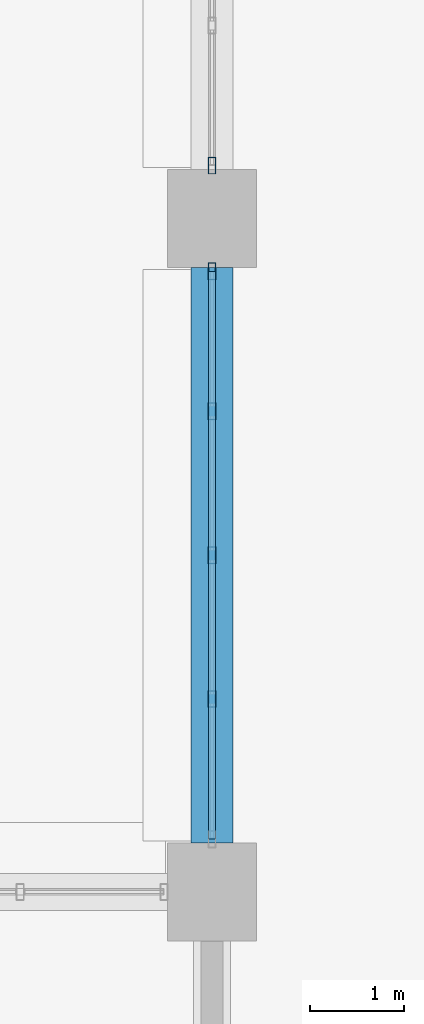
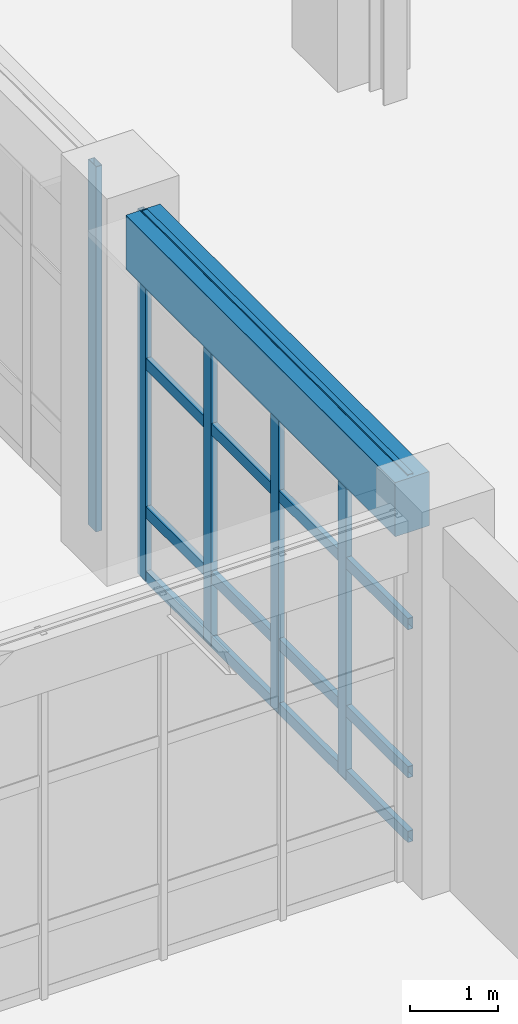
# One storey, part 39 of 160: 9 members, 1 beam, 2 elements without a shape of their own.
"""IFC4 building model written with IfcOpenShell, lengths in metres."""

from ifc_helpers import new_model, si_unit, direction, frame, origin, origin_2d, place, context, subcontext, project, spatial, rectangle, hollow_rectangle, extrude, material, material_profile, profile_set, type_object, element, aggregate, save


model = new_model("IFC4")

# Units and contexts
model_context = context("Model", 3, precision=1e-05, world=origin(), true_north=direction((0.0, 1.0)))
body_context = subcontext(model_context, "Body", "Model", "MODEL_VIEW")
ifc_project = project(units=[si_unit("LENGTHUNIT", "METRE"), si_unit("AREAUNIT", "SQUARE_METRE"), si_unit("VOLUMEUNIT", "CUBIC_METRE"), si_unit("PLANEANGLEUNIT", "RADIAN"), si_unit("MASSUNIT", "GRAM", prefix="KILO")], contexts=[model_context])

# Site, building, storey
site_placement = place(None, origin())
site = spatial("IfcSite", under=ifc_project, at=site_placement, CompositionType="ELEMENT")
building_placement = place(site_placement, origin())
building = spatial("IfcBuilding", under=site, at=building_placement, Name="Thalmaran Polytechnic", CompositionType="ELEMENT")
storey_placement = place(building_placement, origin())
storey = spatial("IfcBuildingStorey", under=building, at=storey_placement, Name="L00", CompositionType="ELEMENT", Elevation=0.0)

# Beam
ifc_material_1 = material(Name="Concrete C40/50", Category="concrete")
ifc_material_profile_1 = material_profile(ifc_material_1, rectangle(XDim=0.449951171875, YDim=0.7548828125, at=origin_2d()), Name="RC 450x755")
ifc_profile_set_1 = profile_set([ifc_material_profile_1], Name="Concrete C40/50")
beam_type = type_object("IfcBeamType", Name="BM-SP02", PredefinedType="SPANDREL", material=ifc_profile_set_1)
beam_placement = place(storey_placement, frame((108.0, 36.52490234375, 4.71240234375), z_axis=(0.0, 1.0, 0.0), x_axis=(-1.0, 0.0, 0.0)))
element("IfcBeam", 1, at=beam_placement, inside=storey, type_object=beam_type, Name="Grid Beam SP02 L00 Y(15,5)", PredefinedType="SPANDREL", context=body_context, shape_type="SweptSolid", body=[
    extrude(rectangle(XDim=0.449951171875, YDim=0.7548828125, at=origin_2d()), origin(), (0.0, 0.0, 1.0), 6.150146484375),
])

# Curtain wall, members
ifc_material_2 = material(Name="Aluminium 6063-T6", Category="aluminium")
curtain_wall_type = type_object("IfcCurtainWallType", Name="CW-UC01", PredefinedType="USERDEFINED", material=ifc_material_2)
curtain_wall_1_placement = place(storey_placement, origin())
curtain_wall_1 = element("IfcCurtainWall", 2, at=curtain_wall_1_placement, inside=storey, type_object=curtain_wall_type, Name="Curtain Wall CW-L00-061", ObjectType="UNITISED CURTAIN WALL", PredefinedType="USERDEFINED")
ifc_material_profile_2 = material_profile(ifc_material_2, hollow_rectangle(XDim=0.080078125, YDim=0.179931640625, WallThickness=0.0048828125, at=origin_2d()), Name="RHS 180x80x5.0")
ifc_profile_set_2 = profile_set([ifc_material_profile_2], Name="Aluminium 6063-T6")
member_type_1 = type_object("IfcMemberType", Name="CW-MUL1", PredefinedType="MULLION", material=ifc_profile_set_2)
member_1_placement = place(storey_placement, frame((108.0, 38.0625, 0.0), z_axis=(0.0, 0.0, 1.0), x_axis=(1.0, 0.0, 0.0)))
member_1 = element("IfcMember", 3, at=member_1_placement, type_object=member_type_1, Name="CW-L00-061 Mullion 2", PredefinedType="MULLION", context=body_context, shape_type="SweptSolid", body=[
    extrude(hollow_rectangle(XDim=0.080078125, YDim=0.179931640625, WallThickness=0.0048828125, at=origin_2d()), origin(), (0.0, 0.0, 1.0), 5.090087890625),
])
member_2_placement = place(storey_placement, frame((108.0, 39.60009765625, 0.0), z_axis=(0.0, 0.0, 1.0), x_axis=(1.0, 0.0, 0.0)))
member_2 = element("IfcMember", 4, at=member_2_placement, type_object=member_type_1, Name="CW-L00-061 Mullion 3", PredefinedType="MULLION", context=body_context, shape_type="SweptSolid", body=[
    extrude(hollow_rectangle(XDim=0.080078125, YDim=0.179931640625, WallThickness=0.0048828125, at=origin_2d()), origin(), (0.0, 0.0, 1.0), 5.090087890625),
])
member_3_placement = place(storey_placement, frame((108.0, 41.137451171875, 0.0), z_axis=(0.0, 0.0, 1.0), x_axis=(1.0, 0.0, 0.0)))
member_3 = element("IfcMember", 5, at=member_3_placement, type_object=member_type_1, Name="CW-L00-061 Mullion 4", PredefinedType="MULLION", context=body_context, shape_type="SweptSolid", body=[
    extrude(hollow_rectangle(XDim=0.080078125, YDim=0.179931640625, WallThickness=0.0048828125, at=origin_2d()), origin(), (0.0, 0.0, 1.0), 5.090087890625),
])
member_4_placement = place(storey_placement, frame((108.0, 42.635009765625, 0.0), z_axis=(0.0, 0.0, 1.0), x_axis=(1.0, 0.0, 0.0)))
member_4 = element("IfcMember", 6, at=member_4_placement, type_object=member_type_1, Name="CW-L00-061 Mullion 5", PredefinedType="MULLION", context=body_context, shape_type="SweptSolid", body=[
    extrude(hollow_rectangle(XDim=0.080078125, YDim=0.179931640625, WallThickness=0.0048828125, at=origin_2d()), origin(), (0.0, 0.0, 1.0), 5.090087890625),
])

# Curtain wall, member
curtain_wall_2_placement = place(storey_placement, origin())
curtain_wall_2 = element("IfcCurtainWall", 7, at=curtain_wall_2_placement, inside=storey, type_object=curtain_wall_type, Name="Curtain Wall CW-L00-062", ObjectType="UNITISED CURTAIN WALL", PredefinedType="USERDEFINED")
member_5_placement = place(storey_placement, frame((108.0, 43.764892578125, 0.0), z_axis=(0.0, 0.0, 1.0), x_axis=(1.0, 0.0, 0.0)))
member_5 = element("IfcMember", 8, at=member_5_placement, type_object=member_type_1, Name="CW-L00-062 Mullion 1", PredefinedType="MULLION", context=body_context, shape_type="SweptSolid", body=[
    extrude(hollow_rectangle(XDim=0.080078125, YDim=0.179931640625, WallThickness=0.0048828125, at=origin_2d()), origin(), (0.0, 0.0, 1.0), 5.090087890625),
])
aggregate(curtain_wall_2, [member_5])

# Member
ifc_material_profile_3 = material_profile(ifc_material_2, hollow_rectangle(XDim=0.070068359375, YDim=0.159912109375, WallThickness=0.00390625, at=origin_2d()), Name="AL 160x70x4.0")
ifc_profile_set_3 = profile_set([ifc_material_profile_3], Name="Aluminium 6063-T6")
member_type_2 = type_object("IfcMemberType", Name="CW-TRN1", PredefinedType="USERDEFINED", material=ifc_profile_set_3)
member_6_placement = place(storey_placement, frame((108.0, 36.56494140625, 0.06005859375), z_axis=(0.0, 1.0, 0.0), x_axis=(-1.0, 0.0, 0.0)))
member_6 = element("IfcMember", 9, at=member_6_placement, type_object=member_type_2, Name="CW-L00-061 Transom 1", ObjectType="TRANSOM", PredefinedType="USERDEFINED", context=body_context, shape_type="SweptSolid", body=[
    extrude(hollow_rectangle(XDim=0.070068359375, YDim=0.159912109375, WallThickness=0.00390625, at=origin_2d()), origin(), (0.0, 0.0, 1.0), 6.070068359375),
])

member_7_placement = place(storey_placement, frame((108.0, 36.56494140625, 0.9599609375), z_axis=(0.0, 1.0, 0.0), x_axis=(-1.0, 0.0, 0.0)))
member_7 = element("IfcMember", 10, at=member_7_placement, type_object=member_type_2, Name="CW-L00-061 Transom 2", ObjectType="TRANSOM", PredefinedType="USERDEFINED", context=body_context, shape_type="SweptSolid", body=[
    extrude(hollow_rectangle(XDim=0.070068359375, YDim=0.159912109375, WallThickness=0.00390625, at=origin_2d()), origin(), (0.0, 0.0, 1.0), 6.070068359375),
])

member_8_placement = place(storey_placement, frame((108.0, 36.56494140625, 3.02490234375), z_axis=(0.0, 1.0, 0.0), x_axis=(-1.0, 0.0, 0.0)))
member_8 = element("IfcMember", 11, at=member_8_placement, type_object=member_type_2, Name="CW-L00-061 Transom 3", ObjectType="TRANSOM", PredefinedType="USERDEFINED", context=body_context, shape_type="SweptSolid", body=[
    extrude(hollow_rectangle(XDim=0.070068359375, YDim=0.159912109375, WallThickness=0.00390625, at=origin_2d()), origin(), (0.0, 0.0, 1.0), 6.070068359375),
])

member_9_placement = place(storey_placement, frame((108.0, 36.56494140625, 5.030029296875), z_axis=(0.0, 1.0, 0.0), x_axis=(-1.0, 0.0, 0.0)))
member_9 = element("IfcMember", 12, at=member_9_placement, type_object=member_type_2, Name="CW-L00-061 Transom 4", ObjectType="TRANSOM", PredefinedType="USERDEFINED", context=body_context, shape_type="SweptSolid", body=[
    extrude(hollow_rectangle(XDim=0.070068359375, YDim=0.159912109375, WallThickness=0.00390625, at=origin_2d()), origin(), (0.0, 0.0, 1.0), 6.070068359375),
])

aggregate(curtain_wall_1, [member_1, member_2, member_3, member_4, member_6, member_7, member_8, member_9])

save(model, "model.ifc")
